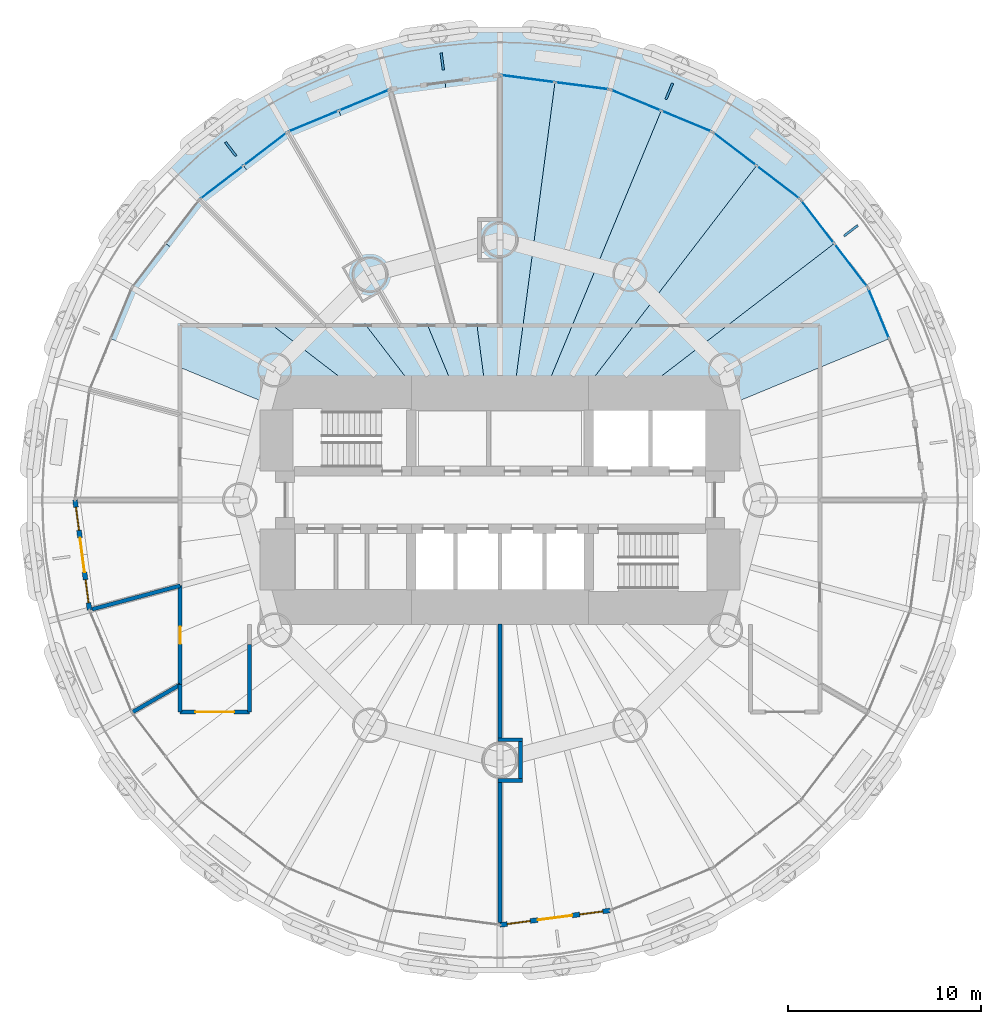
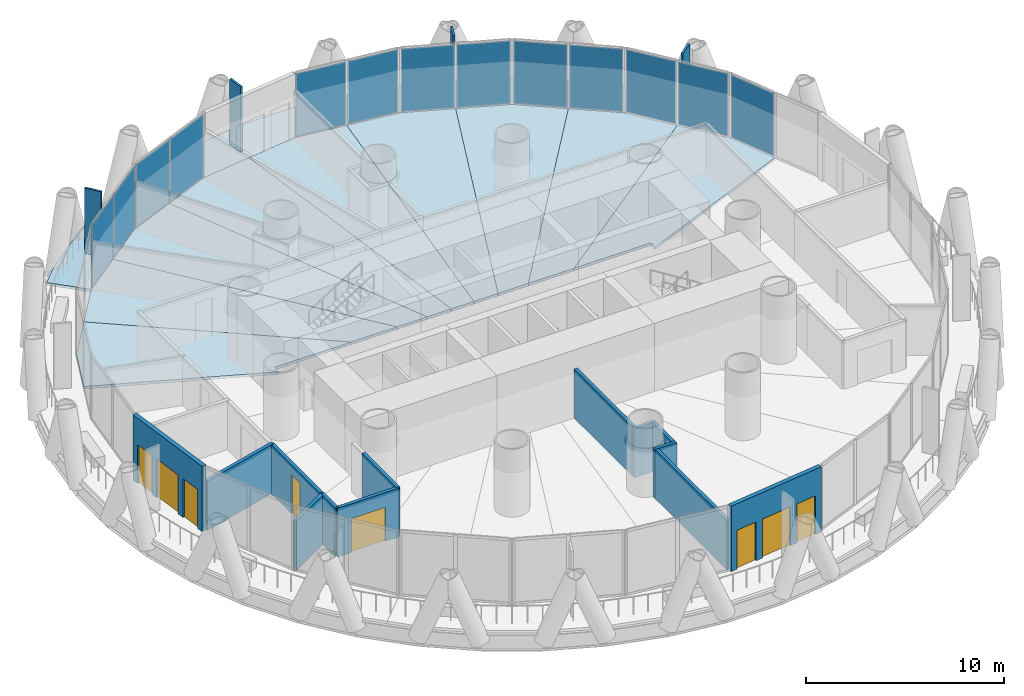
# One storey, part 9 of 16: 17 plates, 13 walls, 10 slabs, 4 doors, 4 windows, 8 openings, 7 elements without a shape of their own.
"""IFC4 building model written with IfcOpenShell, lengths in metres."""

from ifc_helpers import new_model, si_unit, direction, frame, frame_2d, origin, origin_2d, place, context, subcontext, project, spatial, polyline, rectangle, outline, extrude, material, layer, layer_set, type_object, element, fill, aggregate, save


model = new_model("IFC4")

# Units and contexts
model_context = context("Model", 3, precision=1e-05, world=origin(), true_north=direction((0.0, 1.0)))
body_context = subcontext(model_context, "Body", "Model", "MODEL_VIEW")
ifc_project = project(units=[si_unit("LENGTHUNIT", "METRE"), si_unit("AREAUNIT", "SQUARE_METRE"), si_unit("VOLUMEUNIT", "CUBIC_METRE"), si_unit("PLANEANGLEUNIT", "RADIAN"), si_unit("MASSUNIT", "GRAM", prefix="KILO")], contexts=[model_context])

# Site, building, storey
site_placement = place(None, origin())
site = spatial("IfcSite", under=ifc_project, at=site_placement, CompositionType="ELEMENT")
building_placement = place(site_placement, origin())
building = spatial("IfcBuilding", under=site, at=building_placement, Name="Qaws Media Tower", CompositionType="ELEMENT")
storey_placement = place(building_placement, frame((0.0, 0.0, 181.39990234375)))
storey = spatial("IfcBuildingStorey", under=building, at=storey_placement, Name="L41", CompositionType="ELEMENT", Elevation=181.39990234375)

# Slabs
ifc_material_1 = material(Name="Concrete C35/45", Category="concrete")
ifc_layer_1 = layer(ifc_material_1, 0.159912109375)
ifc_layer_set_1 = layer_set([ifc_layer_1], Name="Composite balcony slab 160")
slab_type_1 = type_object("IfcSlabType", Name="Composite balcony slab 160", PredefinedType="FLOOR", material=ifc_layer_set_1)
slab_1_placement = place(storey_placement, frame((0.0, 0.0, -0.159912109375)))
element("IfcSlab", 1, at=slab_1_placement, inside=storey, type_object=slab_type_1, Name="S2 balcony slab L41 R04 to R10, movement joints on R04 and R10", PredefinedType="FLOOR", context=body_context, shape_type="SweptSolid", body=[
    extrude(outline(polyline([(43.87890625, 68.382568359375), (46.416259765625, 70.329345703125), (49.18603515625, 71.928466796875), (52.140869140625, 73.15234375), (55.22998046875, 73.980224609375), (58.40087890625, 74.397705078125), (61.59912109375, 74.397705078125), (64.77001953125, 73.980224609375), (67.859130859375, 73.15234375), (70.81396484375, 71.928466796875), (73.583740234375, 70.329345703125), (76.12109375, 68.382568359375), (77.251708984375, 67.251708984375), (75.591796875, 65.591796875), (71.02490234375, 69.095947265625), (65.70703125, 71.298583984375), (60.0, 72.050048828125), (54.29296875, 71.298583984375), (48.97509765625, 69.095947265625), (44.408203125, 65.591796875), (42.748291015625, 67.251708984375), (43.87890625, 68.382568359375)])), origin(), (0.0, 0.0, 1.0), 0.159912109375),
])
ifc_material_2 = material(Name="Concrete C35/45", Category="concrete")
ifc_layer_2 = layer(ifc_material_2, 0.159912109375)
ifc_layer_set_2 = layer_set([ifc_layer_2], Name="Composite floor slab 160")
slab_type_2 = type_object("IfcSlabType", Name="Composite floor slab 160", PredefinedType="FLOOR", material=ifc_layer_set_2)
slab_2_placement = place(storey_placement, frame((0.0, 0.0, -0.159912109375)))
element("IfcSlab", 2, at=slab_2_placement, inside=storey, type_object=slab_type_2, Name="S1 floor panel L41 on R03", PredefinedType="FLOOR", context=body_context, shape_type="SweptSolid", body=[
    extrude(outline(polyline([(79.095947265625, 61.02490234375), (80.197265625, 58.365966796875), (71.0, 54.556396484375), (71.0, 55.0), (66.51611328125, 55.0), (77.34375, 63.308349609375), (79.095947265625, 61.02490234375)])), origin(), (0.0, 0.0, 1.0), 0.159912109375),
])
slab_3_placement = place(storey_placement, frame((0.0, 0.0, -0.159912109375)))
element("IfcSlab", 3, at=slab_3_placement, inside=storey, type_object=slab_type_2, Name="S1 floor panel L41 on R04", PredefinedType="FLOOR", context=body_context, shape_type="SweptSolid", body=[
    extrude(outline(polyline([(75.591796875, 65.591796875), (77.34375, 63.308349609375), (66.51611328125, 55.0), (63.836669921875, 55.0), (73.308349609375, 67.34375), (75.591796875, 65.591796875)])), origin(), (0.0, 0.0, 1.0), 0.159912109375),
])
slab_4_placement = place(storey_placement, frame((0.0, 0.0, -0.159912109375)))
element("IfcSlab", 4, at=slab_4_placement, inside=storey, type_object=slab_type_2, Name="S1 floor panel L41 on R05", PredefinedType="FLOOR", context=body_context, shape_type="SweptSolid", body=[
    extrude(outline(polyline([(71.02490234375, 69.095947265625), (73.308349609375, 67.34375), (63.836669921875, 55.0), (62.071044921875, 55.0), (68.365966796875, 70.197265625), (71.02490234375, 69.095947265625)])), origin(), (0.0, 0.0, 1.0), 0.159912109375),
])
slab_5_placement = place(storey_placement, frame((0.0, 0.0, -0.159912109375)))
element("IfcSlab", 5, at=slab_5_placement, inside=storey, type_object=slab_type_2, Name="S1 floor panel L41 on R06", PredefinedType="FLOOR", context=body_context, shape_type="SweptSolid", body=[
    extrude(outline(polyline([(65.70703125, 71.298583984375), (68.365966796875, 70.197265625), (62.071044921875, 55.0), (60.658203125, 55.0), (62.853515625, 71.67431640625), (65.70703125, 71.298583984375)])), origin(), (0.0, 0.0, 1.0), 0.159912109375),
])
slab_6_placement = place(storey_placement, frame((0.0, 0.0, -0.159912109375)))
element("IfcSlab", 6, at=slab_6_placement, inside=storey, type_object=slab_type_2, Name="S1 floor panel L41 on R07", PredefinedType="FLOOR", context=body_context, shape_type="SweptSolid", body=[
    extrude(outline(polyline([(60.0, 72.050048828125), (62.853515625, 71.67431640625), (60.658203125, 55.0), (59.341796875, 55.0), (57.146484375, 71.67431640625), (60.0, 72.050048828125)])), origin(), (0.0, 0.0, 1.0), 0.159912109375),
])
slab_7_placement = place(storey_placement, frame((0.0, 0.0, -0.159912109375)))
element("IfcSlab", 7, at=slab_7_placement, inside=storey, type_object=slab_type_2, Name="S1 floor panel L41 on R08", PredefinedType="FLOOR", context=body_context, shape_type="SweptSolid", body=[
    extrude(outline(polyline([(54.29296875, 71.298583984375), (57.146484375, 71.67431640625), (59.341796875, 55.0), (57.928955078125, 55.0), (51.634033203125, 70.197265625), (54.29296875, 71.298583984375)])), origin(), (0.0, 0.0, 1.0), 0.159912109375),
])
slab_8_placement = place(storey_placement, frame((0.0, 0.0, -0.159912109375)))
element("IfcSlab", 8, at=slab_8_placement, inside=storey, type_object=slab_type_2, Name="S1 floor panel L41 on R09", PredefinedType="FLOOR", context=body_context, shape_type="SweptSolid", body=[
    extrude(outline(polyline([(48.97509765625, 69.095947265625), (51.634033203125, 70.197265625), (57.928955078125, 55.0), (56.163330078125, 55.0), (46.691650390625, 67.34375), (48.97509765625, 69.095947265625)])), origin(), (0.0, 0.0, 1.0), 0.159912109375),
])
slab_9_placement = place(storey_placement, frame((0.0, 0.0, -0.159912109375)))
element("IfcSlab", 9, at=slab_9_placement, inside=storey, type_object=slab_type_2, Name="S1 floor panel L41 on R10", PredefinedType="FLOOR", context=body_context, shape_type="SweptSolid", body=[
    extrude(outline(polyline([(44.408203125, 65.591796875), (46.691650390625, 67.34375), (56.163330078125, 55.0), (53.48388671875, 55.0), (42.65625, 63.308349609375), (44.408203125, 65.591796875)])), origin(), (0.0, 0.0, 1.0), 0.159912109375),
])
slab_10_placement = place(storey_placement, frame((0.0, 0.0, -0.159912109375)))
element("IfcSlab", 10, at=slab_10_placement, inside=storey, type_object=slab_type_2, Name="S1 floor panel L41 on R11", PredefinedType="FLOOR", context=body_context, shape_type="SweptSolid", body=[
    extrude(outline(polyline([(40.904052734375, 61.02490234375), (42.65625, 63.308349609375), (53.48388671875, 55.0), (49.0, 55.0), (49.0, 54.556396484375), (39.802734375, 58.365966796875), (40.904052734375, 61.02490234375)])), origin(), (0.0, 0.0, 1.0), 0.159912109375),
])

# Curtain wall, plate
ifc_material_3 = material(Name="Aluminium and clear glass", Category="aluminium")
curtain_wall_type = type_object("IfcCurtainWallType", Name="Unitised curtain wall CW-B", PredefinedType="NOTDEFINED", material=ifc_material_3)
curtain_wall_1_placement = place(storey_placement, origin())
curtain_wall_1 = element("IfcCurtainWall", 11, at=curtain_wall_1_placement, inside=storey, type_object=curtain_wall_type, Name="CWB curtain wall L41-02", PredefinedType="NOTDEFINED")
ifc_material_4 = material(Name="Clear laminated double glazing", Category="glass")
ifc_layer_3 = layer(ifc_material_4, 0.031982421875)
ifc_layer_set_3 = layer_set([ifc_layer_3], Name="Curtain wall glass unit 32")
plate_type_1 = type_object("IfcPlateType", Name="Curtain wall glass unit 32", PredefinedType="CURTAIN_PANEL", material=ifc_layer_set_3)
plate_1_placement = place(storey_placement, frame((79.654296875, 59.677001953125, 0.080078125), z_axis=(0.0, 0.0, 1.0), x_axis=(-0.382683388877, 0.923879550525, 0.0)))
plate_1 = element("IfcPlate", 12, at=plate_1_placement, type_object=plate_type_1, Name="CWB panel 2.1", PredefinedType="CURTAIN_PANEL", context=body_context, shape_type="SweptSolid", body=[
    extrude(rectangle(XDim=2.758056640625, YDim=0.031982421875, at=origin_2d()), origin(), (0.0, 0.0, 1.0), 3.8798828125),
])
aggregate(curtain_wall_1, [plate_1])

# Curtain wall, plates
curtain_wall_2_placement = place(storey_placement, origin())
curtain_wall_2 = element("IfcCurtainWall", 13, at=curtain_wall_2_placement, inside=storey, type_object=curtain_wall_type, Name="CWB curtain wall L41-03", PredefinedType="NOTDEFINED")
plate_2_placement = place(storey_placement, frame((78.207763671875, 62.1826171875, 0.080078125), z_axis=(0.0, 0.0, 1.0), x_axis=(-0.608761320465, 0.79335342358, 0.0)))
plate_2 = element("IfcPlate", 14, at=plate_2_placement, type_object=plate_type_1, Name="CWB panel 1.1", PredefinedType="CURTAIN_PANEL", context=body_context, shape_type="SweptSolid", body=[
    extrude(rectangle(XDim=2.758056640625, YDim=0.031982421875, at=origin_2d()), origin(), (0.0, 0.0, 1.0), 3.8798828125),
])
plate_3_placement = place(storey_placement, frame((76.47998046875, 64.43408203125, 0.080078125), z_axis=(0.0, 0.0, 1.0), x_axis=(-0.608761320465, 0.79335342358, 0.0)))
plate_3 = element("IfcPlate", 15, at=plate_3_placement, type_object=plate_type_1, Name="CWB panel 2.1", PredefinedType="CURTAIN_PANEL", context=body_context, shape_type="SweptSolid", body=[
    extrude(rectangle(XDim=2.758056640625, YDim=0.031982421875, at=origin_2d()), origin(), (0.0, 0.0, 1.0), 3.8798828125),
])
aggregate(curtain_wall_2, [plate_2, plate_3])

curtain_wall_3_placement = place(storey_placement, origin())
curtain_wall_3 = element("IfcCurtainWall", 16, at=curtain_wall_3_placement, inside=storey, type_object=curtain_wall_type, Name="CWB curtain wall L41-04", PredefinedType="NOTDEFINED")
plate_4_placement = place(storey_placement, frame((74.43408203125, 66.47998046875, 0.080078125), z_axis=(0.0, 0.0, 1.0), x_axis=(-0.79335342358, 0.608761320465, 0.0)))
plate_4 = element("IfcPlate", 17, at=plate_4_placement, type_object=plate_type_1, Name="CWB panel 1.1", PredefinedType="CURTAIN_PANEL", context=body_context, shape_type="SweptSolid", body=[
    extrude(rectangle(XDim=2.758056640625, YDim=0.031982421875, at=origin_2d()), origin(), (0.0, 0.0, 1.0), 3.8798828125),
])
plate_5_placement = place(storey_placement, frame((72.1826171875, 68.207763671875, 0.080078125), z_axis=(0.0, 0.0, 1.0), x_axis=(-0.79335342358, 0.608761320465, 0.0)))
plate_5 = element("IfcPlate", 18, at=plate_5_placement, type_object=plate_type_1, Name="CWB panel 2.1", PredefinedType="CURTAIN_PANEL", context=body_context, shape_type="SweptSolid", body=[
    extrude(rectangle(XDim=2.758056640625, YDim=0.031982421875, at=origin_2d()), origin(), (0.0, 0.0, 1.0), 3.8798828125),
])
aggregate(curtain_wall_3, [plate_4, plate_5])

curtain_wall_4_placement = place(storey_placement, origin())
curtain_wall_4 = element("IfcCurtainWall", 19, at=curtain_wall_4_placement, inside=storey, type_object=curtain_wall_type, Name="CWB curtain wall L41-05", PredefinedType="NOTDEFINED")
plate_6_placement = place(storey_placement, frame((69.677001953125, 69.654296875, 0.080078125), z_axis=(0.0, 0.0, 1.0), x_axis=(-0.923879550525, 0.382683388877, 0.0)))
plate_6 = element("IfcPlate", 20, at=plate_6_placement, type_object=plate_type_1, Name="CWB panel 1.1", PredefinedType="CURTAIN_PANEL", context=body_context, shape_type="SweptSolid", body=[
    extrude(rectangle(XDim=2.758056640625, YDim=0.031982421875, at=origin_2d()), origin(), (0.0, 0.0, 1.0), 3.8798828125),
])
plate_7_placement = place(storey_placement, frame((67.054931640625, 70.740234375, 0.080078125), z_axis=(0.0, 0.0, 1.0), x_axis=(-0.923879550525, 0.382683388877, 0.0)))
plate_7 = element("IfcPlate", 21, at=plate_7_placement, type_object=plate_type_1, Name="CWB panel 2.1", PredefinedType="CURTAIN_PANEL", context=body_context, shape_type="SweptSolid", body=[
    extrude(rectangle(XDim=2.758056640625, YDim=0.031982421875, at=origin_2d()), origin(), (0.0, 0.0, 1.0), 3.8798828125),
])
aggregate(curtain_wall_4, [plate_6, plate_7])

curtain_wall_5_placement = place(storey_placement, origin())
curtain_wall_5 = element("IfcCurtainWall", 22, at=curtain_wall_5_placement, inside=storey, type_object=curtain_wall_type, Name="CWB curtain wall L41-06", PredefinedType="NOTDEFINED")
plate_8_placement = place(storey_placement, frame((64.260498046875, 71.489013671875, 0.080078125), z_axis=(0.0, 0.0, 1.0), x_axis=(-0.991444850979, 0.130526271178, 0.0)))
plate_8 = element("IfcPlate", 23, at=plate_8_placement, type_object=plate_type_1, Name="CWB panel 1.1", PredefinedType="CURTAIN_PANEL", context=body_context, shape_type="SweptSolid", body=[
    extrude(rectangle(XDim=2.758056640625, YDim=0.031982421875, at=origin_2d()), origin(), (0.0, 0.0, 1.0), 3.8798828125),
])
plate_9_placement = place(storey_placement, frame((61.446533203125, 71.859619140625, 0.080078125), z_axis=(0.0, 0.0, 1.0), x_axis=(-0.991444850979, 0.130526271178, 0.0)))
plate_9 = element("IfcPlate", 24, at=plate_9_placement, type_object=plate_type_1, Name="CWB panel 2.1", PredefinedType="CURTAIN_PANEL", context=body_context, shape_type="SweptSolid", body=[
    extrude(rectangle(XDim=2.758056640625, YDim=0.031982421875, at=origin_2d()), origin(), (0.0, 0.0, 1.0), 3.8798828125),
])
aggregate(curtain_wall_5, [plate_8, plate_9])

curtain_wall_6_placement = place(storey_placement, origin())
curtain_wall_6 = element("IfcCurtainWall", 25, at=curtain_wall_6_placement, inside=storey, type_object=curtain_wall_type, Name="CWB curtain wall L41-08", PredefinedType="NOTDEFINED")
plate_10_placement = place(storey_placement, frame((52.945068359375, 70.740234375, 0.080078125), z_axis=(0.0, 0.0, 1.0), x_axis=(-0.923879550525, -0.382683388877, 0.0)))
plate_10 = element("IfcPlate", 26, at=plate_10_placement, type_object=plate_type_1, Name="CWB panel 1.1", PredefinedType="CURTAIN_PANEL", context=body_context, shape_type="SweptSolid", body=[
    extrude(rectangle(XDim=2.758056640625, YDim=0.031982421875, at=origin_2d()), origin(), (0.0, 0.0, 1.0), 3.8798828125),
])
plate_11_placement = place(storey_placement, frame((50.322998046875, 69.654296875, 0.080078125), z_axis=(0.0, 0.0, 1.0), x_axis=(-0.923879550525, -0.382683388877, 0.0)))
plate_11 = element("IfcPlate", 27, at=plate_11_placement, type_object=plate_type_1, Name="CWB panel 2.1", PredefinedType="CURTAIN_PANEL", context=body_context, shape_type="SweptSolid", body=[
    extrude(rectangle(XDim=2.758056640625, YDim=0.031982421875, at=origin_2d()), origin(), (0.0, 0.0, 1.0), 3.8798828125),
])
aggregate(curtain_wall_6, [plate_10, plate_11])

curtain_wall_7_placement = place(storey_placement, origin())
curtain_wall_7 = element("IfcCurtainWall", 28, at=curtain_wall_7_placement, inside=storey, type_object=curtain_wall_type, Name="CWB curtain wall L41-09", PredefinedType="NOTDEFINED")
plate_12_placement = place(storey_placement, frame((47.8173828125, 68.207763671875, 0.080078125), z_axis=(0.0, 0.0, 1.0), x_axis=(-0.79335342358, -0.608761320465, 0.0)))
plate_12 = element("IfcPlate", 29, at=plate_12_placement, type_object=plate_type_1, Name="CWB panel 1.1", PredefinedType="CURTAIN_PANEL", context=body_context, shape_type="SweptSolid", body=[
    extrude(rectangle(XDim=2.758056640625, YDim=0.031982421875, at=origin_2d()), origin(), (0.0, 0.0, 1.0), 3.8798828125),
])
plate_13_placement = place(storey_placement, frame((45.56591796875, 66.47998046875, 0.080078125), z_axis=(0.0, 0.0, 1.0), x_axis=(-0.79335342358, -0.608761320465, 0.0)))
plate_13 = element("IfcPlate", 30, at=plate_13_placement, type_object=plate_type_1, Name="CWB panel 2.1", PredefinedType="CURTAIN_PANEL", context=body_context, shape_type="SweptSolid", body=[
    extrude(rectangle(XDim=2.758056640625, YDim=0.031982421875, at=origin_2d()), origin(), (0.0, 0.0, 1.0), 3.8798828125),
])
aggregate(curtain_wall_7, [plate_12, plate_13])

# Plates
ifc_material_5 = material(Name="Precast concrete screen fin", Category="concrete")
ifc_layer_4 = layer(ifc_material_5, 0.1201171875)
ifc_layer_set_4 = layer_set([ifc_layer_4], Name="Screen fin 120x900")
plate_type_2 = type_object("IfcPlateType", Name="Screen fin 120x900", PredefinedType="USERDEFINED", material=ifc_layer_set_4)
for number, where, z_axis, x_axis, name in (
    (31, (78.20751953125, 63.97119140625, 0.0), (0.0, 0.0, 1.0), (0.793353340291, 0.608761429009, 0.0), "SCR1 screen fin L41-02"),
    (32, (68.782470703125, 71.203125, 0.0), (0.0, 0.0, 1.0), (0.382683432365, 0.923879532511, 0.0), "SCR1 screen fin L41-03"),
    (33, (57.00439453125, 72.753662109375, 0.0), (0.0, 0.0, 1.0), (-0.13052619222, 0.991444861374, 0.0), "SCR1 screen fin L41-04"),
    (34, (46.02880859375, 68.20751953125, 0.0), (0.0, 0.0, 1.0), (-0.608761429009, 0.793353340291, 0.0), "SCR1 screen fin L41-05"),
):
    element("IfcPlate", number, at=place(storey_placement, frame(where, z_axis=z_axis, x_axis=x_axis)), inside=storey, type_object=plate_type_2, Name=name, ObjectType="SCREEN", PredefinedType="USERDEFINED", context=body_context, shape_type="SweptSolid", body=[
        extrude(rectangle(XDim=0.89990234375, YDim=0.1201171875, at=origin_2d()), origin(), (0.0, 0.0, 1.0), 4.0400390625),
    ])

# Wall, openings, door, windows
ifc_material_6 = material(Name="Precast concrete, exposed finish", Category="concrete")
ifc_layer_5 = layer(ifc_material_6, 0.25)
ifc_layer_set_5 = layer_set([ifc_layer_5], Name="Balcony door wall 250")
wall_type_1 = type_object("IfcWallType", Name="Balcony door wall 250", PredefinedType="SOLIDWALL", material=ifc_layer_set_5)
wall_1_placement = place(storey_placement, frame((37.949951171875, 50.0, 0.0), z_axis=(0.0, 0.0, 1.0), x_axis=(0.130546671118, -0.991442165061, 0.0)))
wall_1 = element("IfcWall", 35, at=wall_1_placement, inside=storey, type_object=wall_type_1, Name="W125 EW1 balcony door wall L41-13", PredefinedType="SOLIDWALL", context=body_context, shape_type="SweptSolid", body=[
    extrude(rectangle(XDim=5.75634765625, YDim=0.25, at=frame_2d((2.878173828125, 0.0))), origin(), (0.0, 0.0, 1.0), 4.0400390625),
])
opening_1_placement = place(wall_1_placement, frame((1.97802734375, 0.0, 0.0)))
opening_1 = element("IfcOpeningElement", 36, at=opening_1_placement, cuts=wall_1, Name="Opening D7", PredefinedType="OPENING", context=body_context, shape_type="SweptSolid", body=[
    extrude(rectangle(XDim=1.800048828125, YDim=2.39990234375, at=frame_2d((0.89990234375, 1.199951171875))), frame((0.0, 0.135009765625, 0.0), z_axis=(0.0, -1.0, 0.0), x_axis=(1.0, 0.0, 0.0)), (0.0, 0.0, 1.0), 0.27001953125),
])
opening_2_placement = place(wall_1_placement, frame((0.378173828125, 0.0, 0.0)))
opening_2 = element("IfcOpeningElement", 37, at=opening_2_placement, cuts=wall_1, Name="Opening W1", PredefinedType="OPENING", context=body_context, shape_type="SweptSolid", body=[
    extrude(rectangle(XDim=1.199951171875, YDim=2.39990234375, at=frame_2d((0.60009765625, 1.199951171875))), frame((0.0, 0.135009765625, 0.0), z_axis=(0.0, -1.0, 0.0), x_axis=(1.0, 0.0, 0.0)), (0.0, 0.0, 1.0), 0.27001953125),
])
opening_3_placement = place(wall_1_placement, frame((4.17822265625, 0.0, 0.0)))
opening_3 = element("IfcOpeningElement", 38, at=opening_3_placement, cuts=wall_1, Name="Opening W1", PredefinedType="OPENING", context=body_context, shape_type="SweptSolid", body=[
    extrude(rectangle(XDim=1.199951171875, YDim=2.39990234375, at=frame_2d((0.60009765625, 1.199951171875))), frame((0.0, 0.135009765625, 0.0), z_axis=(0.0, -1.0, 0.0), x_axis=(1.0, 0.0, 0.0)), (0.0, 0.0, 1.0), 0.27001953125),
])
ifc_material_7 = material(Name="Aluminium and clear glass", Category="aluminium")
door_type_1 = type_object("IfcDoorType", Name="Balcony door pair 1800", OperationType="DOUBLE_DOOR_SLIDING", PredefinedType="DOOR", material=ifc_material_7)
door_1_placement = place(opening_1_placement, origin())
door_1 = element("IfcDoor", 39, at=door_1_placement, inside=storey, type_object=door_type_1, Name="D7 balcony door L41-13 in wall W125", OperationType="DOUBLE_DOOR_SLIDING", OverallHeight=2.39990234375, OverallWidth=1.800048828125, PredefinedType="DOOR", context=body_context, shape_type="SweptSolid", body=[
    extrude(rectangle(XDim=1.800048828125, YDim=2.39990234375, at=frame_2d((0.89990234375, 1.199951171875))), frame((0.0, 0.02490234375, 0.0), z_axis=(0.0, -1.0, 0.0), x_axis=(1.0, 0.0, 0.0)), (0.0, 0.0, 1.0), 0.050048828125),
])
fill(opening_1, door_1)
ifc_material_8 = material(Name="Aluminium and clear glass", Category="aluminium")
window_type = type_object("IfcWindowType", Name="Balcony side window 1200", PartitioningType="SINGLE_PANEL", PredefinedType="WINDOW", material=ifc_material_8)
window_1_placement = place(opening_2_placement, origin())
window_1 = element("IfcWindow", 40, at=window_1_placement, inside=storey, type_object=window_type, Name="W1 balcony side light L41-13L", OverallHeight=2.39990234375, OverallWidth=1.199951171875, PartitioningType="SINGLE_PANEL", PredefinedType="WINDOW", context=body_context, shape_type="SweptSolid", body=[
    extrude(rectangle(XDim=1.199951171875, YDim=2.39990234375, at=frame_2d((0.60009765625, 1.199951171875))), frame((0.0, 0.030029296875, 0.0), z_axis=(0.0, -1.0, 0.0), x_axis=(1.0, 0.0, 0.0)), (0.0, 0.0, 1.0), 0.06005859375),
])
fill(opening_2, window_1)
window_2_placement = place(opening_3_placement, origin())
window_2 = element("IfcWindow", 41, at=window_2_placement, inside=storey, type_object=window_type, Name="W1 balcony side light L41-13R", OverallHeight=2.39990234375, OverallWidth=1.199951171875, PartitioningType="SINGLE_PANEL", PredefinedType="WINDOW", context=body_context, shape_type="SweptSolid", body=[
    extrude(rectangle(XDim=1.199951171875, YDim=2.39990234375, at=frame_2d((0.60009765625, 1.199951171875))), frame((0.0, 0.030029296875, 0.0), z_axis=(0.0, -1.0, 0.0), x_axis=(1.0, 0.0, 0.0)), (0.0, 0.0, 1.0), 0.06005859375),
])
fill(opening_3, window_2)

wall_2_placement = place(storey_placement, frame((60.0, 27.949951171875, 0.0), z_axis=(0.0, 0.0, 1.0), x_axis=(0.991442165061, 0.130546671118, 0.0)))
wall_2 = element("IfcWall", 42, at=wall_2_placement, inside=storey, type_object=wall_type_1, Name="W126 EW1 balcony door wall L41-19", PredefinedType="SOLIDWALL", context=body_context, shape_type="SweptSolid", body=[
    extrude(rectangle(XDim=5.75634765625, YDim=0.25, at=frame_2d((2.878173828125, 0.0))), origin(), (0.0, 0.0, 1.0), 4.0400390625),
])
opening_4_placement = place(wall_2_placement, frame((1.97802734375, 0.0, 0.0)))
opening_4 = element("IfcOpeningElement", 43, at=opening_4_placement, cuts=wall_2, Name="Opening D7", PredefinedType="OPENING", context=body_context, shape_type="SweptSolid", body=[
    extrude(rectangle(XDim=1.800048828125, YDim=2.39990234375, at=frame_2d((0.89990234375, 1.199951171875))), frame((0.0, 0.135009765625, 0.0), z_axis=(0.0, -1.0, 0.0), x_axis=(1.0, 0.0, 0.0)), (0.0, 0.0, 1.0), 0.27001953125),
])
opening_5_placement = place(wall_2_placement, frame((0.378173828125, 0.0, 0.0)))
opening_5 = element("IfcOpeningElement", 44, at=opening_5_placement, cuts=wall_2, Name="Opening W1", PredefinedType="OPENING", context=body_context, shape_type="SweptSolid", body=[
    extrude(rectangle(XDim=1.199951171875, YDim=2.39990234375, at=frame_2d((0.60009765625, 1.199951171875))), frame((0.0, 0.135009765625, 0.0), z_axis=(0.0, -1.0, 0.0), x_axis=(1.0, 0.0, 0.0)), (0.0, 0.0, 1.0), 0.27001953125),
])
opening_6_placement = place(wall_2_placement, frame((4.17822265625, 0.0, 0.0)))
opening_6 = element("IfcOpeningElement", 45, at=opening_6_placement, cuts=wall_2, Name="Opening W1", PredefinedType="OPENING", context=body_context, shape_type="SweptSolid", body=[
    extrude(rectangle(XDim=1.199951171875, YDim=2.39990234375, at=frame_2d((0.60009765625, 1.199951171875))), frame((0.0, 0.135009765625, 0.0), z_axis=(0.0, -1.0, 0.0), x_axis=(1.0, 0.0, 0.0)), (0.0, 0.0, 1.0), 0.27001953125),
])
door_2_placement = place(opening_4_placement, origin())
door_2 = element("IfcDoor", 46, at=door_2_placement, inside=storey, type_object=door_type_1, Name="D7 balcony door L41-19 in wall W126", OperationType="DOUBLE_DOOR_SLIDING", OverallHeight=2.39990234375, OverallWidth=1.800048828125, PredefinedType="DOOR", context=body_context, shape_type="SweptSolid", body=[
    extrude(rectangle(XDim=1.800048828125, YDim=2.39990234375, at=frame_2d((0.89990234375, 1.199951171875))), frame((0.0, 0.02490234375, 0.0), z_axis=(0.0, -1.0, 0.0), x_axis=(1.0, 0.0, 0.0)), (0.0, 0.0, 1.0), 0.050048828125),
])
fill(opening_4, door_2)
window_3_placement = place(opening_5_placement, origin())
window_3 = element("IfcWindow", 47, at=window_3_placement, inside=storey, type_object=window_type, Name="W1 balcony side light L41-19L", OverallHeight=2.39990234375, OverallWidth=1.199951171875, PartitioningType="SINGLE_PANEL", PredefinedType="WINDOW", context=body_context, shape_type="SweptSolid", body=[
    extrude(rectangle(XDim=1.199951171875, YDim=2.39990234375, at=frame_2d((0.60009765625, 1.199951171875))), frame((0.0, 0.030029296875, 0.0), z_axis=(0.0, -1.0, 0.0), x_axis=(1.0, 0.0, 0.0)), (0.0, 0.0, 1.0), 0.06005859375),
])
fill(opening_5, window_3)
window_4_placement = place(opening_6_placement, origin())
window_4 = element("IfcWindow", 48, at=window_4_placement, inside=storey, type_object=window_type, Name="W1 balcony side light L41-19R", OverallHeight=2.39990234375, OverallWidth=1.199951171875, PartitioningType="SINGLE_PANEL", PredefinedType="WINDOW", context=body_context, shape_type="SweptSolid", body=[
    extrude(rectangle(XDim=1.199951171875, YDim=2.39990234375, at=frame_2d((0.60009765625, 1.199951171875))), frame((0.0, 0.030029296875, 0.0), z_axis=(0.0, -1.0, 0.0), x_axis=(1.0, 0.0, 0.0)), (0.0, 0.0, 1.0), 0.06005859375),
])
fill(opening_6, window_4)

# Wall
ifc_material_9 = material(Name="Gypsum board on galvanised metal studs, acoustic double stud, deflection head", Category="gypsum")
ifc_layer_6 = layer(ifc_material_9, 0.199951171875)
ifc_layer_set_6 = layer_set([ifc_layer_6], Name="Room partition 200")
wall_type_2 = type_object("IfcWallType", Name="Room partition 200", PredefinedType="PARTITIONING", material=ifc_layer_set_6)
wall_3_placement = place(storey_placement, frame((47.0, 42.494384765625, 0.0), z_axis=(0.0, 0.0, 1.0), x_axis=(0.0, -1.0, 0.0)))
element("IfcWall", 49, at=wall_3_placement, inside=storey, type_object=wall_type_2, Name="W1366 IW3 partition L41", PredefinedType="PARTITIONING", context=body_context, shape_type="SweptSolid", body=[
    extrude(rectangle(XDim=3.494384765625, YDim=0.199951171875, at=frame_2d((1.7470703125, 0.0))), origin(), (0.0, 0.0, 1.0), 3.01220703125),
])

# Wall, opening, door
wall_4_placement = place(storey_placement, frame((47.0, 39.0, 0.0), z_axis=(0.0, 0.0, 1.0), x_axis=(-1.0, 0.0, 0.0)))
wall_4 = element("IfcWall", 50, at=wall_4_placement, inside=storey, type_object=wall_type_2, Name="W1416 IW3 partition L41", PredefinedType="PARTITIONING", context=body_context, shape_type="SweptSolid", body=[
    extrude(rectangle(XDim=3.60009765625, YDim=0.199951171875, at=frame_2d((1.800048828125, 0.0))), origin(), (0.0, 0.0, 1.0), 3.01220703125),
])
opening_7_placement = place(wall_4_placement, frame((0.800048828125, 0.0, 0.0)))
opening_7 = element("IfcOpeningElement", 51, at=opening_7_placement, cuts=wall_4, Name="Opening D6", PredefinedType="OPENING", context=body_context, shape_type="SweptSolid", body=[
    extrude(rectangle(XDim=2.0, YDim=2.10009765625, at=frame_2d((1.0, 1.050048828125))), frame((0.0, 0.10986328125, 0.0), z_axis=(0.0, -1.0, 0.0), x_axis=(1.0, 0.0, 0.0)), (0.0, 0.0, 1.0), 0.219970703125),
])
ifc_material_10 = material(Name="Steel, acoustic, fire rated", Category="steel")
door_type_2 = type_object("IfcDoorType", Name="Room door pair 2000", OperationType="DOUBLE_DOOR_DOUBLE_SWING", PredefinedType="DOOR", material=ifc_material_10)
door_3_placement = place(opening_7_placement, origin())
door_3 = element("IfcDoor", 52, at=door_3_placement, inside=storey, type_object=door_type_2, Name="D6 Communications office door L41 in wall W1416", OperationType="DOUBLE_DOOR_DOUBLE_SWING", OverallHeight=2.10009765625, OverallWidth=2.0, PredefinedType="DOOR", context=body_context, shape_type="SweptSolid", body=[
    extrude(rectangle(XDim=2.0, YDim=2.10009765625, at=frame_2d((1.0, 1.050048828125))), frame((0.0, 0.02490234375, 0.0), z_axis=(0.0, -1.0, 0.0), x_axis=(1.0, 0.0, 0.0)), (0.0, 0.0, 1.0), 0.050048828125),
])
fill(opening_7, door_3)

# Wall
wall_5_placement = place(storey_placement, frame((43.39990234375, 39.0, 0.0), z_axis=(0.0, 0.0, 1.0), x_axis=(0.0, 1.0, 0.0)))
element("IfcWall", 53, at=wall_5_placement, inside=storey, type_object=wall_type_2, Name="W1245 IW3 partition L41", PredefinedType="PARTITIONING", context=body_context, shape_type="SweptSolid", body=[
    extrude(rectangle(XDim=1.416015625, YDim=0.199951171875, at=frame_2d((0.7080078125, 0.0))), origin(), (0.0, 0.0, 1.0), 3.0400390625),
])

# Wall, opening, door
wall_6_placement = place(storey_placement, frame((43.39990234375, 40.416015625, 0.0), z_axis=(0.0, 0.0, 1.0), x_axis=(0.0, 1.0, 0.0)))
wall_6 = element("IfcWall", 54, at=wall_6_placement, inside=storey, type_object=wall_type_2, Name="W1387 IW3 partition L41", PredefinedType="PARTITIONING", context=body_context, shape_type="SweptSolid", body=[
    extrude(rectangle(XDim=5.135986328125, YDim=0.199951171875, at=frame_2d((2.56787109375, 0.0))), origin(), (0.0, 0.0, 1.0), 3.01220703125),
])
opening_8_placement = place(wall_6_placement, frame((2.117919921875, 0.0, 0.0)))
opening_8 = element("IfcOpeningElement", 55, at=opening_8_placement, cuts=wall_6, Name="Opening D12", PredefinedType="OPENING", context=body_context, shape_type="SweptSolid", body=[
    extrude(rectangle(XDim=0.89990234375, YDim=2.39990234375, at=frame_2d((0.449951171875, 1.199951171875))), frame((0.0, 0.10986328125, 0.0), z_axis=(0.0, -1.0, 0.0), x_axis=(1.0, 0.0, 0.0)), (0.0, 0.0, 1.0), 0.219970703125),
])
ifc_material_11 = material(Name="Timber veneered, full height", Category="wood")
door_type_3 = type_object("IfcDoorType", Name="Office door 900x2400", OperationType="SINGLE_SWING_LEFT", PredefinedType="DOOR", material=ifc_material_11)
door_4_placement = place(opening_8_placement, origin())
door_4 = element("IfcDoor", 56, at=door_4_placement, inside=storey, type_object=door_type_3, Name="D12 Office door L41 in wall W1387", OperationType="SINGLE_SWING_LEFT", OverallHeight=2.39990234375, OverallWidth=0.89990234375, PredefinedType="DOOR", context=body_context, shape_type="SweptSolid", body=[
    extrude(rectangle(XDim=0.89990234375, YDim=2.39990234375, at=frame_2d((0.449951171875, 1.199951171875))), frame((0.0, 0.02490234375, 0.0), z_axis=(0.0, -1.0, 0.0), x_axis=(1.0, 0.0, 0.0)), (0.0, 0.0, 1.0), 0.050048828125),
])
fill(opening_8, door_4)

# Walls
wall_7_placement = place(storey_placement, frame((43.405517578125, 45.553466796875, 0.0), z_axis=(0.0, 0.0, 1.0), x_axis=(-0.965931002957, -0.258799724742, 0.0)))
element("IfcWall", 57, at=wall_7_placement, inside=storey, type_object=wall_type_2, Name="W1414 IW3 partition L41", PredefinedType="PARTITIONING", context=body_context, shape_type="SweptSolid", body=[
    extrude(rectangle(XDim=4.72998046875, YDim=0.199951171875, at=frame_2d((2.364990234375, 0.0))), origin(), (0.0, 0.0, 1.0), 3.0400390625),
])
wall_8_placement = place(storey_placement, frame((43.406982421875, 40.419921875, 0.0), z_axis=(0.0, 0.0, 1.0), x_axis=(-0.866062911188, -0.499935029643, 0.0)))
element("IfcWall", 58, at=wall_8_placement, inside=storey, type_object=wall_type_2, Name="W1415 IW3 partition L41", PredefinedType="PARTITIONING", context=body_context, shape_type="SweptSolid", body=[
    extrude(rectangle(XDim=2.85009765625, YDim=0.199951171875, at=frame_2d((1.425048828125, 0.0))), origin(), (0.0, 0.0, 1.0), 3.0400390625),
])
for number, where, z_axis, x_axis, name in (
    (59, (59.89990234375, 37.56005859375, 0.0), (0.0, 0.0, 1.0), (1.0, 0.0, 0.0), "W1419 IW3 partition return L41"),
    (60, (59.89990234375, 35.43994140625, 0.0), (0.0, 0.0, 1.0), (1.0, 0.0, 0.0), "W1418 IW3 partition return L41"),
):
    element("IfcWall", number, at=place(storey_placement, frame(where, z_axis=z_axis, x_axis=x_axis)), inside=storey, type_object=wall_type_2, Name=name, PredefinedType="PARTITIONING", context=body_context, shape_type="SweptSolid", body=[
        extrude(rectangle(XDim=1.27001953125, YDim=0.199951171875, at=frame_2d((0.635009765625, 0.0))), origin(), (0.0, 0.0, 1.0), 3.02001953125),
    ])
wall_9_placement = place(storey_placement, frame((61.070068359375, 37.4599609375, 0.0), z_axis=(0.0, 0.0, 1.0), x_axis=(0.0, -1.0, 0.0)))
element("IfcWall", 61, at=wall_9_placement, inside=storey, type_object=wall_type_2, Name="W1424 IW3 partition return L41", PredefinedType="PARTITIONING", context=body_context, shape_type="SweptSolid", body=[
    extrude(rectangle(XDim=1.919921875, YDim=0.199951171875, at=frame_2d((0.9599609375, 0.0))), origin(), (0.0, 0.0, 1.0), 3.02001953125),
])
wall_10_placement = place(storey_placement, frame((60.0, 43.56005859375, 0.0), z_axis=(0.0, 0.0, 1.0), x_axis=(0.0, -1.0, 0.0)))
element("IfcWall", 62, at=wall_10_placement, inside=storey, type_object=wall_type_2, Name="W1421 IW3 partition L41", PredefinedType="PARTITIONING", context=body_context, shape_type="SweptSolid", body=[
    extrude(rectangle(XDim=5.900146484375, YDim=0.199951171875, at=frame_2d((2.9501953125, 0.0))), origin(), (0.0, 0.0, 1.0), 3.0400390625),
])
wall_11_placement = place(storey_placement, frame((60.0, 35.340087890625, 0.0), z_axis=(0.0, 0.0, 1.0), x_axis=(0.0, -1.0, 0.0)))
element("IfcWall", 63, at=wall_11_placement, inside=storey, type_object=wall_type_2, Name="W1420 IW3 partition L41", PredefinedType="PARTITIONING", context=body_context, shape_type="SweptSolid", body=[
    extrude(rectangle(XDim=7.25, YDim=0.199951171875, at=frame_2d((3.625, 0.0))), origin(), (0.0, 0.0, 1.0), 3.0400390625),
])

save(model, "model.ifc")
